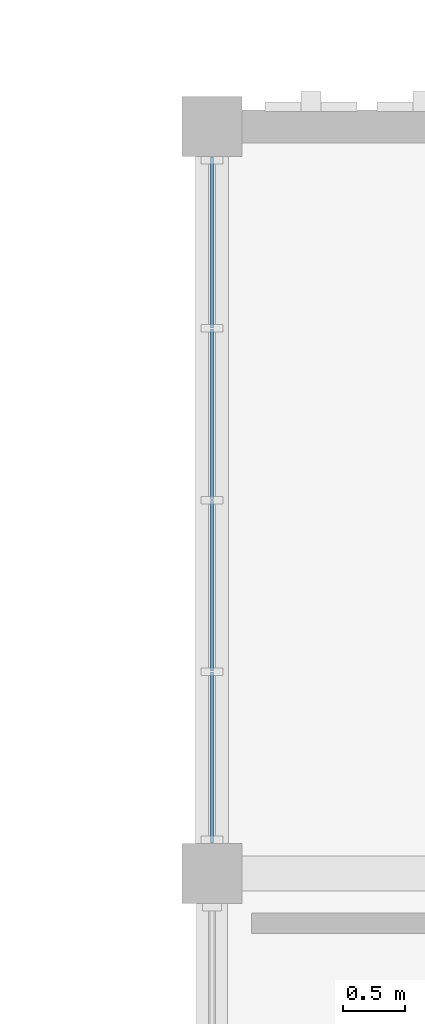
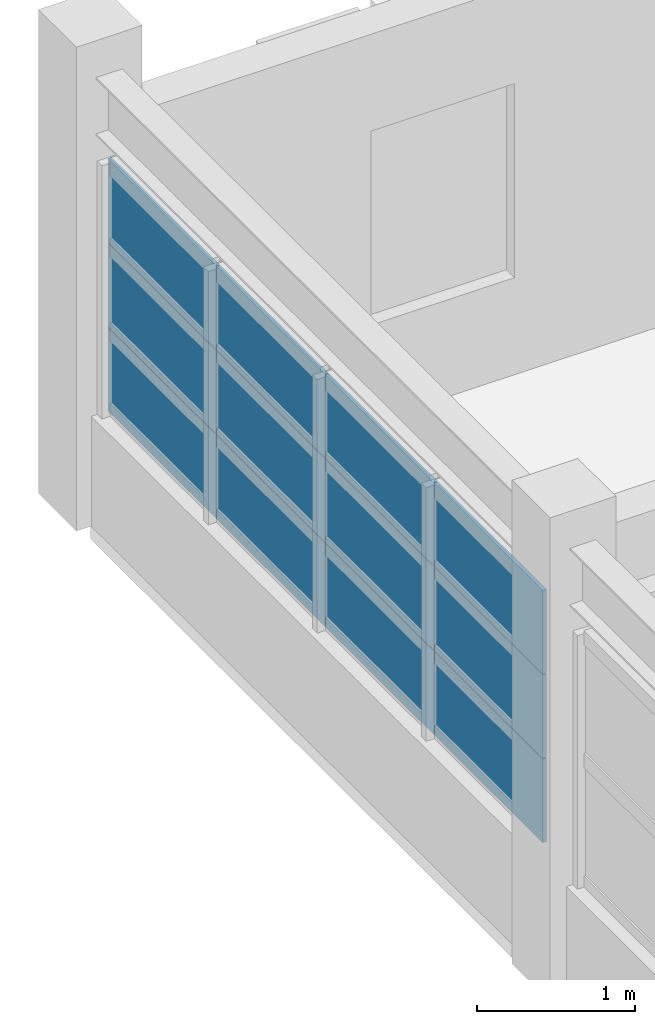
# One storey, part 19 of 53: 12 plates, 1 element without a shape of its own.
"""IFC4 building model written with IfcOpenShell, lengths in metres."""

from ifc_helpers import new_model, si_unit, direction, frame, origin, origin_2d, place, context, subcontext, project, spatial, rectangle, extrude, material, layer, layer_set, type_object, element, aggregate, save


model = new_model("IFC4")

# Units and contexts
model_context = context("Model", 3, precision=1e-05, world=origin(), true_north=direction((0.0, 1.0)))
body_context = subcontext(model_context, "Body", "Model", "MODEL_VIEW")
ifc_project = project(units=[si_unit("LENGTHUNIT", "METRE"), si_unit("AREAUNIT", "SQUARE_METRE"), si_unit("VOLUMEUNIT", "CUBIC_METRE"), si_unit("PLANEANGLEUNIT", "RADIAN"), si_unit("MASSUNIT", "GRAM", prefix="KILO")], contexts=[model_context])

# Site, building, storey
site_placement = place(None, origin())
site = spatial("IfcSite", under=ifc_project, at=site_placement, CompositionType="ELEMENT")
building_placement = place(site_placement, origin())
building = spatial("IfcBuilding", under=site, at=building_placement, Name="Nzembalo Square Collegiate School", CompositionType="ELEMENT")
storey_placement = place(building_placement, frame((0.0, 0.0, 13.60009765625)))
storey = spatial("IfcBuildingStorey", under=building, at=storey_placement, Name="L03", CompositionType="ELEMENT", Elevation=13.60009765625)

# Curtain wall, plates
ifc_material_1 = material(Name="Aluminium 6060-T66", Category="aluminium")
curtain_wall_type = type_object("IfcCurtainWallType", Name="CW-01", PredefinedType="USERDEFINED", material=ifc_material_1)
curtain_wall_placement = place(storey_placement, origin())
curtain_wall = element("IfcCurtainWall", 1, at=curtain_wall_placement, inside=storey, type_object=curtain_wall_type, Name="Curtain wall CW-01 cw:L03:120", ObjectType="UNITISED", PredefinedType="USERDEFINED")
ifc_material_2 = material(Name="Laminated solar-control double glazing", Category="glass")
ifc_layer = layer(ifc_material_2, 0.028076171875, Name="Laminated solar-control double glazing")
ifc_layer_set = layer_set([ifc_layer], Name="Laminated solar-control double glazing")
plate_type = type_object("IfcPlateType", Name="PN01", PredefinedType="CURTAIN_PANEL", material=ifc_layer_set)
plate_1_placement = place(storey_placement, frame((130.800048828125, 45.33154296875, 0.85400390625), z_axis=(0.0, 0.0, 1.0), x_axis=(0.0, 1.0, 0.0)))
plate_1 = element("IfcPlate", 2, at=plate_1_placement, type_object=plate_type, Name="PN01 glazed panel 1-1", PredefinedType="CURTAIN_PANEL", context=body_context, shape_type="SweptSolid", body=[
    extrude(rectangle(XDim=1.37109375, YDim=0.028076171875, at=origin_2d()), origin(), (0.0, 0.0, 1.0), 0.64501953125),
])
plate_2_placement = place(storey_placement, frame((130.800048828125, 46.71044921875, 0.85400390625), z_axis=(0.0, 0.0, 1.0), x_axis=(0.0, 1.0, 0.0)))
plate_2 = element("IfcPlate", 3, at=plate_2_placement, type_object=plate_type, Name="PN01 glazed panel 1-2", PredefinedType="CURTAIN_PANEL", context=body_context, shape_type="SweptSolid", body=[
    extrude(rectangle(XDim=1.37109375, YDim=0.028076171875, at=origin_2d()), origin(), (0.0, 0.0, 1.0), 0.64501953125),
])
plate_3_placement = place(storey_placement, frame((130.800048828125, 48.089599609375, 0.85400390625), z_axis=(0.0, 0.0, 1.0), x_axis=(0.0, 1.0, 0.0)))
plate_3 = element("IfcPlate", 4, at=plate_3_placement, type_object=plate_type, Name="PN01 glazed panel 1-3", PredefinedType="CURTAIN_PANEL", context=body_context, shape_type="SweptSolid", body=[
    extrude(rectangle(XDim=1.37109375, YDim=0.028076171875, at=origin_2d()), origin(), (0.0, 0.0, 1.0), 0.64501953125),
])
plate_4_placement = place(storey_placement, frame((130.800048828125, 49.468505859375, 0.85400390625), z_axis=(0.0, 0.0, 1.0), x_axis=(0.0, 1.0, 0.0)))
plate_4 = element("IfcPlate", 5, at=plate_4_placement, type_object=plate_type, Name="PN01 glazed panel 1-4", PredefinedType="CURTAIN_PANEL", context=body_context, shape_type="SweptSolid", body=[
    extrude(rectangle(XDim=1.37109375, YDim=0.028076171875, at=origin_2d()), origin(), (0.0, 0.0, 1.0), 0.64501953125),
])
plate_5_placement = place(storey_placement, frame((130.800048828125, 45.33154296875, 1.5068359375), z_axis=(0.0, 0.0, 1.0), x_axis=(0.0, 1.0, 0.0)))
plate_5 = element("IfcPlate", 6, at=plate_5_placement, type_object=plate_type, Name="PN01 glazed panel 2-1", PredefinedType="CURTAIN_PANEL", context=body_context, shape_type="SweptSolid", body=[
    extrude(rectangle(XDim=1.37109375, YDim=0.028076171875, at=origin_2d()), origin(), (0.0, 0.0, 1.0), 0.64501953125),
])
plate_6_placement = place(storey_placement, frame((130.800048828125, 46.71044921875, 1.5068359375), z_axis=(0.0, 0.0, 1.0), x_axis=(0.0, 1.0, 0.0)))
plate_6 = element("IfcPlate", 7, at=plate_6_placement, type_object=plate_type, Name="PN01 glazed panel 2-2", PredefinedType="CURTAIN_PANEL", context=body_context, shape_type="SweptSolid", body=[
    extrude(rectangle(XDim=1.37109375, YDim=0.028076171875, at=origin_2d()), origin(), (0.0, 0.0, 1.0), 0.64501953125),
])
plate_7_placement = place(storey_placement, frame((130.800048828125, 48.089599609375, 1.5068359375), z_axis=(0.0, 0.0, 1.0), x_axis=(0.0, 1.0, 0.0)))
plate_7 = element("IfcPlate", 8, at=plate_7_placement, type_object=plate_type, Name="PN01 glazed panel 2-3", PredefinedType="CURTAIN_PANEL", context=body_context, shape_type="SweptSolid", body=[
    extrude(rectangle(XDim=1.37109375, YDim=0.028076171875, at=origin_2d()), origin(), (0.0, 0.0, 1.0), 0.64501953125),
])
plate_8_placement = place(storey_placement, frame((130.800048828125, 49.468505859375, 1.5068359375), z_axis=(0.0, 0.0, 1.0), x_axis=(0.0, 1.0, 0.0)))
plate_8 = element("IfcPlate", 9, at=plate_8_placement, type_object=plate_type, Name="PN01 glazed panel 2-4", PredefinedType="CURTAIN_PANEL", context=body_context, shape_type="SweptSolid", body=[
    extrude(rectangle(XDim=1.37109375, YDim=0.028076171875, at=origin_2d()), origin(), (0.0, 0.0, 1.0), 0.64501953125),
])
plate_9_placement = place(storey_placement, frame((130.800048828125, 45.33154296875, 2.159912109375), z_axis=(0.0, 0.0, 1.0), x_axis=(0.0, 1.0, 0.0)))
plate_9 = element("IfcPlate", 10, at=plate_9_placement, type_object=plate_type, Name="PN01 glazed panel 3-1", PredefinedType="CURTAIN_PANEL", context=body_context, shape_type="SweptSolid", body=[
    extrude(rectangle(XDim=1.37109375, YDim=0.028076171875, at=origin_2d()), origin(), (0.0, 0.0, 1.0), 0.64501953125),
])
plate_10_placement = place(storey_placement, frame((130.800048828125, 46.71044921875, 2.159912109375), z_axis=(0.0, 0.0, 1.0), x_axis=(0.0, 1.0, 0.0)))
plate_10 = element("IfcPlate", 11, at=plate_10_placement, type_object=plate_type, Name="PN01 glazed panel 3-2", PredefinedType="CURTAIN_PANEL", context=body_context, shape_type="SweptSolid", body=[
    extrude(rectangle(XDim=1.37109375, YDim=0.028076171875, at=origin_2d()), origin(), (0.0, 0.0, 1.0), 0.64501953125),
])
plate_11_placement = place(storey_placement, frame((130.800048828125, 48.089599609375, 2.159912109375), z_axis=(0.0, 0.0, 1.0), x_axis=(0.0, 1.0, 0.0)))
plate_11 = element("IfcPlate", 12, at=plate_11_placement, type_object=plate_type, Name="PN01 glazed panel 3-3", PredefinedType="CURTAIN_PANEL", context=body_context, shape_type="SweptSolid", body=[
    extrude(rectangle(XDim=1.37109375, YDim=0.028076171875, at=origin_2d()), origin(), (0.0, 0.0, 1.0), 0.64501953125),
])
plate_12_placement = place(storey_placement, frame((130.800048828125, 49.468505859375, 2.159912109375), z_axis=(0.0, 0.0, 1.0), x_axis=(0.0, 1.0, 0.0)))
plate_12 = element("IfcPlate", 13, at=plate_12_placement, type_object=plate_type, Name="PN01 glazed panel 3-4", PredefinedType="CURTAIN_PANEL", context=body_context, shape_type="SweptSolid", body=[
    extrude(rectangle(XDim=1.37109375, YDim=0.028076171875, at=origin_2d()), origin(), (0.0, 0.0, 1.0), 0.64501953125),
])
aggregate(curtain_wall, [plate_1, plate_2, plate_3, plate_4, plate_5, plate_6, plate_7, plate_8, plate_9, plate_10, plate_11, plate_12])

save(model, "model.ifc")
